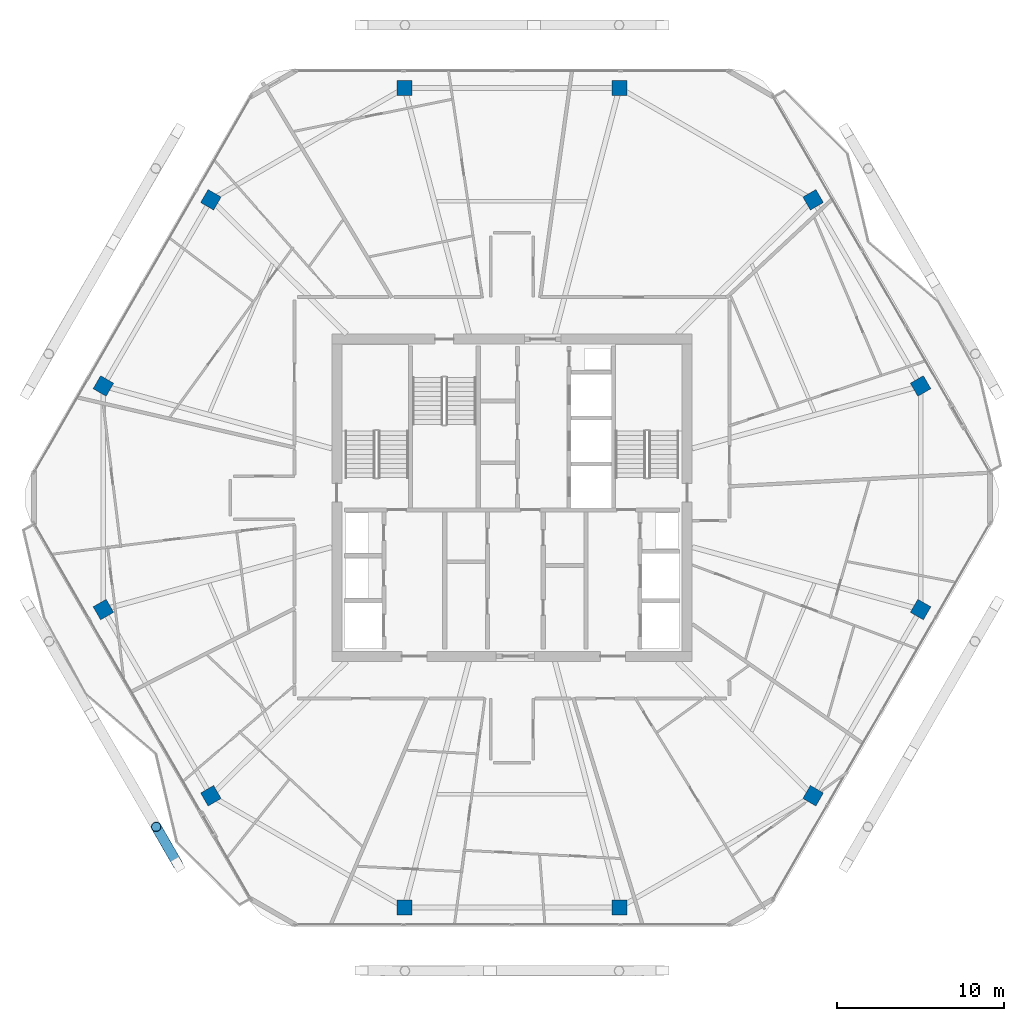
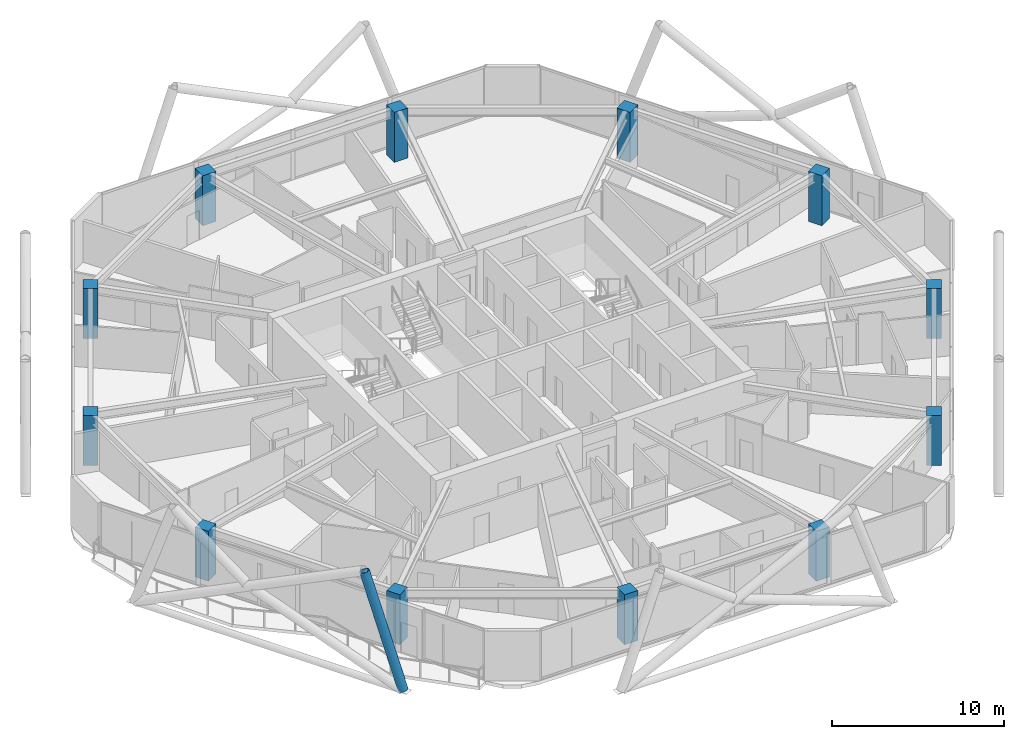
# One storey, part 1 of 27: 12 columns, 1 member.
"""IFC4 building model written with IfcOpenShell, lengths in metres."""

from ifc_helpers import new_model, si_unit, direction, frame, origin, origin_2d, place, context, subcontext, project, spatial, rectangle, hollow_circle, extrude, material, material_profile, profile_set, type_object, element, save


model = new_model("IFC4")

# Units and contexts
model_context = context("Model", 3, precision=1e-05, world=origin(), true_north=direction((0.0, 1.0)))
body_context = subcontext(model_context, "Body", "Model", "MODEL_VIEW")
ifc_project = project(units=[si_unit("LENGTHUNIT", "METRE"), si_unit("AREAUNIT", "SQUARE_METRE"), si_unit("VOLUMEUNIT", "CUBIC_METRE"), si_unit("PLANEANGLEUNIT", "RADIAN"), si_unit("MASSUNIT", "GRAM", prefix="KILO")], contexts=[model_context])

# Site, building, storey
site_placement = place(None, origin())
site = spatial("IfcSite", under=ifc_project, at=site_placement, CompositionType="ELEMENT")
building_placement = place(site_placement, origin())
building = spatial("IfcBuilding", under=site, at=building_placement, Name="Zuhravey Tower", CompositionType="ELEMENT")
storey_placement = place(building_placement, frame((0.0, 0.0, 261.60009765625)))
storey = spatial("IfcBuildingStorey", under=building, at=storey_placement, Name="L66", CompositionType="ELEMENT", Elevation=261.60009765625)

# Columns
ifc_material_1 = material(Name="Concrete C50/60", Category="concrete")
ifc_material_profile_1 = material_profile(ifc_material_1, rectangle(XDim=0.89990234375, YDim=0.89990234375, at=origin_2d()), Name="RC-900x900")
ifc_profile_set_1 = profile_set([ifc_material_profile_1], Name="Concrete C50/60")
column_type = type_object("IfcColumnType", Name="Zone 3 Perimeter Column 900x900", PredefinedType="COLUMN", material=ifc_profile_set_1)
for number, where, z_axis, x_axis, name in (
    (1, (60.484619140625, 38.698974609375, 0.0), (0.0, 0.0, 1.0), (-0.5, 0.866025403784, 0.0), "L66 Perimeter Column PC01"),
    (2, (54.043701171875, 49.854736328125, 0.0), (0.0, 0.0, 1.0), (-0.5, 0.866025403784, 0.0), "L66 Perimeter Column PC02"),
    (3, (42.44091796875, 56.5537109375, 0.0), (0.0, 0.0, 1.0), (-1.0, 0.0, 0.0), "L66 Perimeter Column PC03"),
    (4, (29.55908203125, 56.5537109375, 0.0), (0.0, 0.0, 1.0), (-1.0, 0.0, 0.0), "L66 Perimeter Column PC04"),
    (5, (17.956298828125, 49.854736328125, 0.0), (0.0, 0.0, 1.0), (-0.5, -0.866025403784, 0.0), "L66 Perimeter Column PC05"),
    (6, (11.515380859375, 38.698974609375, 0.0), (0.0, 0.0, 1.0), (-0.5, -0.866025403784, 0.0), "L66 Perimeter Column PC06"),
    (7, (11.515380859375, 25.301025390625, 0.0), (0.0, 0.0, 1.0), (0.5, -0.866025403784, 0.0), "L66 Perimeter Column PC07"),
    (8, (17.956298828125, 14.145263671875, 0.0), (0.0, 0.0, 1.0), (0.5, -0.866025403784, 0.0), "L66 Perimeter Column PC08"),
    (9, (29.55908203125, 7.4462890625, 0.0), (0.0, 0.0, 1.0), (1.0, 0.0, 0.0), "L66 Perimeter Column PC09"),
    (10, (42.44091796875, 7.4462890625, 0.0), (0.0, 0.0, 1.0), (1.0, 0.0, 0.0), "L66 Perimeter Column PC10"),
    (11, (54.043701171875, 14.145263671875, 0.0), (0.0, 0.0, 1.0), (0.5, 0.866025403784, 0.0), "L66 Perimeter Column PC11"),
    (12, (60.484619140625, 25.301025390625, 0.0), (0.0, 0.0, 1.0), (0.5, 0.866025403784, 0.0), "L66 Perimeter Column PC12"),
):
    element("IfcColumn", number, at=place(storey_placement, frame(where, z_axis=z_axis, x_axis=x_axis)), inside=storey, type_object=column_type, Name=name, PredefinedType="COLUMN", context=body_context, shape_type="SweptSolid", body=[
        extrude(rectangle(XDim=0.89990234375, YDim=0.89990234375, at=origin_2d()), origin(), (0.0, 0.0, 1.0), 3.5498046875),
    ])

# Member
ifc_material_2 = material(Name="Steel SM355", Category="steel")
ifc_material_profile_2 = material_profile(ifc_material_2, hollow_circle(Radius=0.3046875, WallThickness=0.028076171875, at=origin_2d()), Name="CHS-609.6x28")
ifc_profile_set_2 = profile_set([ifc_material_profile_2], Name="Steel SM355")
member_type = type_object("IfcMemberType", Name="Exoskeleton Zone 3 Diagrid CHS610x28", PredefinedType="BRACE", material=ifc_profile_set_2)
member_placement = place(storey_placement, frame((15.982421875, 10.024169921875, -0.446044921875), z_axis=(-0.163029217662, 0.282394798701, 0.945343668649), x_axis=(-0.866040668696, -0.499973559465, 0.0)))
element("IfcMember", 13, at=member_placement, inside=storey, type_object=member_type, Name="L66 Face 4 Diagrid Brace 4", PredefinedType="BRACE", context=body_context, shape_type="SweptSolid", body=[
    extrude(hollow_circle(Radius=0.3046875, WallThickness=0.028076171875, at=origin_2d()), origin(), (0.0, 0.0, 1.0), 8.001220703125),
])

save(model, "model.ifc")
